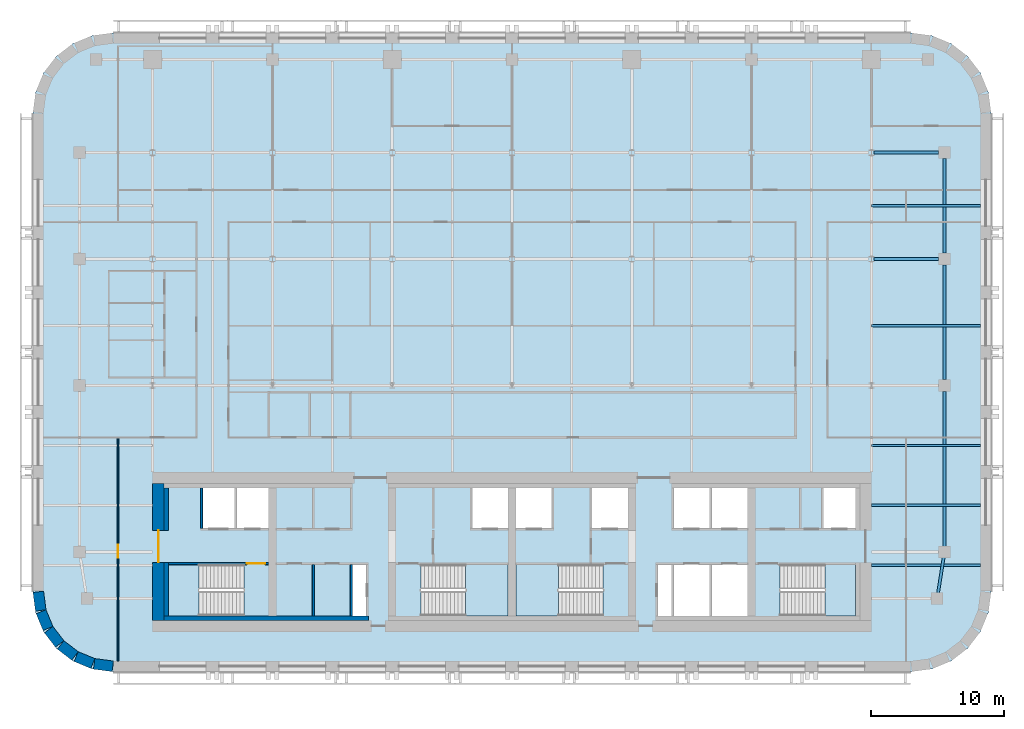
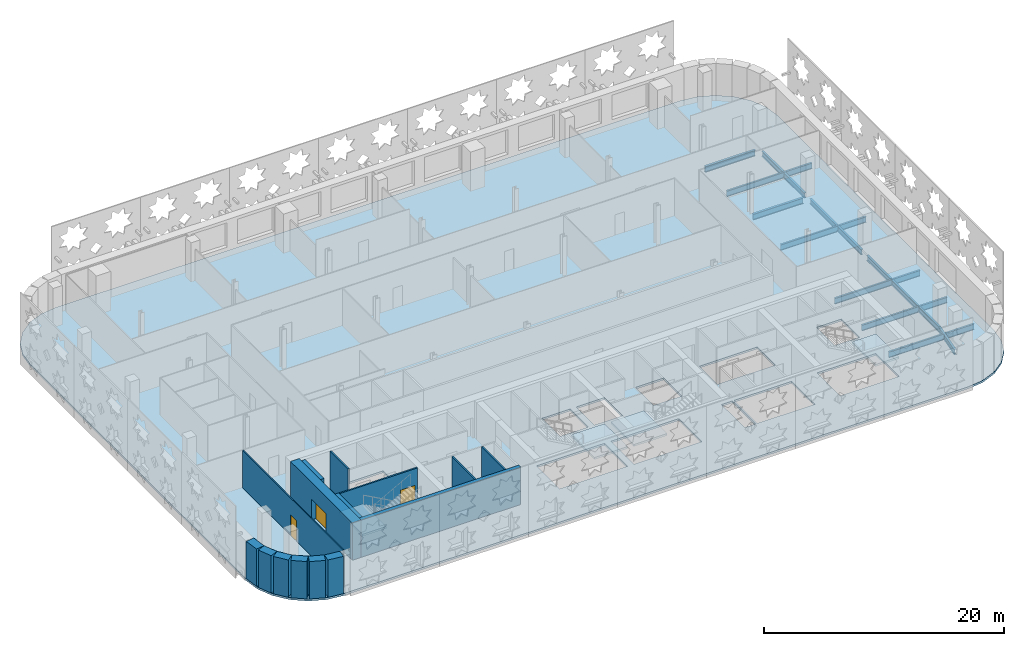
# One storey, part 2 of 12: 15 walls, 11 beams, 5 slabs, 3 doors, 3 openings, 4 elements without a shape of their own.
"""IFC4 building model written with IfcOpenShell, lengths in metres."""

from ifc_helpers import new_model, si_unit, direction, frame, frame_2d, origin, origin_2d, place, context, subcontext, project, spatial, polyline, rectangle, i_section, outline, extrude, material, layer, layer_set, material_profile, profile_set, type_object, element, fill, aggregate, save


model = new_model("IFC4")

# Units and contexts
model_context = context("Model", 3, precision=1e-05, world=origin(), true_north=direction((0.0, 1.0)))
body_context = subcontext(model_context, "Body", "Model", "MODEL_VIEW")
ifc_project = project(units=[si_unit("LENGTHUNIT", "METRE"), si_unit("AREAUNIT", "SQUARE_METRE"), si_unit("VOLUMEUNIT", "CUBIC_METRE"), si_unit("PLANEANGLEUNIT", "RADIAN"), si_unit("MASSUNIT", "GRAM", prefix="KILO")], contexts=[model_context])

# Site, building, storey
site_placement = place(None, origin())
site = spatial("IfcSite", under=ifc_project, at=site_placement, CompositionType="ELEMENT")
building_placement = place(site_placement, origin())
building = spatial("IfcBuilding", under=site, at=building_placement, Name="Zellij Exchange Tower", CompositionType="ELEMENT")
storey_placement = place(building_placement, frame((0.0, 0.0, 180.5)))
storey = spatial("IfcBuildingStorey", under=building, at=storey_placement, Name="L41", CompositionType="ELEMENT", Elevation=180.5)

# Beams
ifc_material_1 = material(Name="Structural steel ASTM A992 Gr 50", Category="steel")
ifc_material_profile_1 = material_profile(ifc_material_1, i_section(OverallWidth=0.177978515625, OverallDepth=0.599365234375, WebThickness=0.010009765625, FlangeThickness=0.012939453125, at=origin_2d()), Name="W24x55")
ifc_profile_set_1 = profile_set([ifc_material_profile_1], Name="Structural steel ASTM A992 Gr 50")
beam_type_1 = type_object("IfcBeamType", Name="STR-BEAM W24x55", PredefinedType="BEAM", material=ifc_profile_set_1)
for number, where, z_axis, x_axis, name in (
    (1, (27.0, -9.0, -0.499755859375), (1.0, 0.0, 0.0), (0.0, 1.0, 0.0), "B4"),
    (2, (27.0, -4.5, -0.499755859375), (1.0, 0.0, 0.0), (0.0, 1.0, 0.0), "B4"),
    (3, (27.0, 0.0, -0.499755859375), (1.0, 0.0, 0.0), (0.0, 1.0, 0.0), "B4"),
    (4, (27.0, 9.0, -0.499755859375), (1.0, 0.0, 0.0), (0.0, 1.0, 0.0), "B4"),
    (5, (27.0, 18.0, -0.499755859375), (1.0, 0.0, 0.0), (0.0, 1.0, 0.0), "B4"),
):
    element("IfcBeam", number, at=place(storey_placement, frame(where, z_axis=z_axis, x_axis=x_axis)), inside=storey, type_object=beam_type_1, Name=name, PredefinedType="BEAM", context=body_context, shape_type="SweptSolid", body=[
        extrude(i_section(OverallWidth=0.177978515625, OverallDepth=0.599365234375, WebThickness=0.010009765625, FlangeThickness=0.012939453125, at=origin_2d()), origin(), (0.0, 0.0, 1.0), 8.199951171875),
    ])
ifc_material_profile_2 = material_profile(ifc_material_1, i_section(OverallWidth=0.209228515625, OverallDepth=0.533447265625, WebThickness=0.01025390625, FlangeThickness=0.015625, at=origin_2d()), Name="W21x62")
ifc_profile_set_2 = profile_set([ifc_material_profile_2], Name="Structural steel ASTM A992 Gr 50")
beam_type_2 = type_object("IfcBeamType", Name="STR-EDGE GIRDER W21x62", PredefinedType="BEAM", material=ifc_profile_set_2)
beam_1_placement = place(storey_placement, frame((31.949951171875, -11.5, -0.466796875), z_axis=(0.155251283593, 0.987875011802, 0.0), x_axis=(-0.987875011802, 0.155251283593, 0.0)))
element("IfcBeam", 6, at=beam_1_placement, inside=storey, type_object=beam_type_2, Name="EB3", PredefinedType="BEAM", context=body_context, shape_type="SweptSolid", body=[
    extrude(i_section(OverallWidth=0.209228515625, OverallDepth=0.533447265625, WebThickness=0.01025390625, FlangeThickness=0.015625, at=origin_2d()), origin(), (0.0, 0.0, 1.0), 3.54296875),
])
beam_2_placement = place(storey_placement, frame((32.5, -8.0, -0.466796875), z_axis=(0.0, 1.0, 0.0), x_axis=(-1.0, 0.0, 0.0)))
element("IfcBeam", 7, at=beam_2_placement, inside=storey, type_object=beam_type_2, Name="EB3", PredefinedType="BEAM", context=body_context, shape_type="SweptSolid", body=[
    extrude(i_section(OverallWidth=0.209228515625, OverallDepth=0.533447265625, WebThickness=0.01025390625, FlangeThickness=0.015625, at=origin_2d()), origin(), (0.0, 0.0, 1.0), 12.050048828125),
])
beam_3_placement = place(storey_placement, frame((32.5, 4.949951171875, -0.466796875), z_axis=(0.0, 1.0, 0.0), x_axis=(-1.0, 0.0, 0.0)))
element("IfcBeam", 8, at=beam_3_placement, inside=storey, type_object=beam_type_2, Name="EB3", PredefinedType="BEAM", context=body_context, shape_type="SweptSolid", body=[
    extrude(i_section(OverallWidth=0.209228515625, OverallDepth=0.533447265625, WebThickness=0.01025390625, FlangeThickness=0.015625, at=origin_2d()), origin(), (0.0, 0.0, 1.0), 8.60009765625),
])
beam_4_placement = place(storey_placement, frame((32.5, 14.449951171875, -0.466796875), z_axis=(0.0, 1.0, 0.0), x_axis=(-1.0, 0.0, 0.0)))
element("IfcBeam", 9, at=beam_4_placement, inside=storey, type_object=beam_type_2, Name="EB3", PredefinedType="BEAM", context=body_context, shape_type="SweptSolid", body=[
    extrude(i_section(OverallWidth=0.209228515625, OverallDepth=0.533447265625, WebThickness=0.01025390625, FlangeThickness=0.015625, at=origin_2d()), origin(), (0.0, 0.0, 1.0), 7.10009765625),
])
ifc_material_profile_3 = material_profile(ifc_material_1, i_section(OverallWidth=0.228271484375, OverallDepth=0.607177734375, WebThickness=0.01123046875, FlangeThickness=0.017333984375, at=origin_2d()), Name="W24x76")
ifc_profile_set_3 = profile_set([ifc_material_profile_3], Name="Structural steel ASTM A992 Gr 50")
beam_type_3 = type_object("IfcBeamType", Name="STR-GIRDER W24x76", PredefinedType="BEAM", material=ifc_profile_set_3)
for number, where, z_axis, x_axis, name in (
    (10, (27.20458984375, 14.0, -0.50341796875), (1.0, 0.0, 0.0), (0.0, 1.0, 0.0), "G2"),
    (11, (27.20458984375, 22.0, -0.50341796875), (1.0, 0.0, 0.0), (0.0, 1.0, 0.0), "G2"),
):
    element("IfcBeam", number, at=place(storey_placement, frame(where, z_axis=z_axis, x_axis=x_axis)), inside=storey, type_object=beam_type_3, Name=name, PredefinedType="BEAM", context=body_context, shape_type="SweptSolid", body=[
        extrude(i_section(OverallWidth=0.228271484375, OverallDepth=0.607177734375, WebThickness=0.01123046875, FlangeThickness=0.017333984375, at=origin_2d()), origin(), (0.0, 0.0, 1.0), 4.845458984375),
    ])

# Stair, slab
ifc_material_2 = material(Name="Concrete C40/50", Category="concrete")
stair_type = type_object("IfcStairType", Name="CORE-ST exit stair 1850 wide", PredefinedType="HALF_TURN_STAIR", material=ifc_material_2)
stair_1_placement = place(storey_placement, origin())
stair_1 = element("IfcStair", 12, at=stair_1_placement, inside=storey, type_object=stair_type, Name="L41 exit stair ST1", PredefinedType="HALF_TURN_STAIR")
ifc_layer_1 = layer(ifc_material_2, 0.199951171875)
ifc_layer_set_1 = layer_set([ifc_layer_1], Name="Concrete C40/50")
slab_type_1 = type_object("IfcSlabType", Name="CORE-SL stair landing 200", PredefinedType="LANDING", material=ifc_layer_set_1)
slab_1_placement = place(storey_placement, frame((0.0, 0.0, 1.800048828125)))
slab_1 = element("IfcSlab", 13, at=slab_1_placement, type_object=slab_type_1, Name="ST1 landing 1", PredefinedType="LANDING", context=body_context, shape_type="SweptSolid", body=[
    extrude(outline(polyline([(-23.510009765625, -8.949951171875), (-25.800048828125, -8.949951171875), (-25.800048828125, -12.800048828125), (-23.510009765625, -12.800048828125), (-23.510009765625, -8.949951171875)])), origin(), (0.0, 0.0, 1.0), 0.199951171875),
])
aggregate(stair_1, [slab_1])

stair_2_placement = place(storey_placement, origin())
stair_2 = element("IfcStair", 14, at=stair_2_placement, inside=storey, type_object=stair_type, Name="L41 exit stair ST2", PredefinedType="HALF_TURN_STAIR")
slab_2_placement = place(storey_placement, frame((0.0, 0.0, 1.800048828125)))
slab_2 = element("IfcSlab", 15, at=slab_2_placement, type_object=slab_type_1, Name="ST2 landing 1", PredefinedType="LANDING", context=body_context, shape_type="SweptSolid", body=[
    extrude(outline(polyline([(-3.489990234375, -12.800048828125), (-0.300048828125, -12.800048828125), (-0.300048828125, -8.949951171875), (-3.489990234375, -8.949951171875), (-3.489990234375, -12.800048828125)])), origin(), (0.0, 0.0, 1.0), 0.199951171875),
])
aggregate(stair_2, [slab_2])

stair_3_placement = place(storey_placement, origin())
stair_3 = element("IfcStair", 16, at=stair_3_placement, inside=storey, type_object=stair_type, Name="L41 exit stair ST3", PredefinedType="HALF_TURN_STAIR")
slab_3_placement = place(storey_placement, frame((0.0, 0.0, 1.800048828125)))
slab_3 = element("IfcSlab", 17, at=slab_3_placement, type_object=slab_type_1, Name="ST3 landing 1", PredefinedType="LANDING", context=body_context, shape_type="SweptSolid", body=[
    extrude(outline(polyline([(3.489990234375, -8.949951171875), (0.300048828125, -8.949951171875), (0.300048828125, -12.800048828125), (3.489990234375, -12.800048828125), (3.489990234375, -8.949951171875)])), origin(), (0.0, 0.0, 1.0), 0.199951171875),
])
aggregate(stair_3, [slab_3])

stair_4_placement = place(storey_placement, origin())
stair_4 = element("IfcStair", 18, at=stair_4_placement, inside=storey, type_object=stair_type, Name="L41 exit stair ST4", PredefinedType="HALF_TURN_STAIR")
slab_4_placement = place(storey_placement, frame((0.0, 0.0, 1.800048828125)))
slab_4 = element("IfcSlab", 19, at=slab_4_placement, type_object=slab_type_1, Name="ST4 landing 1", PredefinedType="LANDING", context=body_context, shape_type="SweptSolid", body=[
    extrude(outline(polyline([(23.510009765625, -12.800048828125), (25.800048828125, -12.800048828125), (25.800048828125, -8.949951171875), (23.510009765625, -8.949951171875), (23.510009765625, -12.800048828125)])), origin(), (0.0, 0.0, 1.0), 0.199951171875),
])
aggregate(stair_4, [slab_4])

# Slab
ifc_layer_2 = layer(ifc_material_2, 0.199951171875)
ifc_layer_set_2 = layer_set([ifc_layer_2], Name="Concrete C40/50")
slab_type_2 = type_object("IfcSlabType", Name="STR-FLOOR SLAB 200 C40/50", PredefinedType="FLOOR", material=ifc_layer_set_2)
slab_5_placement = place(storey_placement, frame((0.0, 0.0, -0.2001953125)))
element("IfcSlab", 20, at=slab_5_placement, inside=storey, type_object=slab_type_2, Name="Floor L41", PredefinedType="FLOOR", context=body_context, shape_type="SweptSolid", body=[
    extrude(outline(polyline([(-30.0, -17.0), (-31.552978515625, -16.795654296875), (-33.0, -16.1962890625), (-34.24267578125, -15.24267578125), (-35.1962890625, -14.0), (-35.795654296875, -12.552978515625), (-36.0, -11.0), (-36.0, 25.0), (-35.795654296875, 26.552978515625), (-35.1962890625, 28.0), (-34.24267578125, 29.24267578125), (-33.0, 30.1962890625), (-31.552978515625, 30.795654296875), (-30.0, 31.0), (30.0, 31.0), (31.552978515625, 30.795654296875), (33.0, 30.1962890625), (34.24267578125, 29.24267578125), (35.1962890625, 28.0), (35.795654296875, 26.552978515625), (36.0, 25.0), (36.0, -11.0), (35.795654296875, -12.552978515625), (35.1962890625, -14.0), (34.24267578125, -15.24267578125), (33.0, -16.1962890625), (31.552978515625, -16.795654296875), (30.0, -17.0), (-30.0, -17.0)]), holes=[polyline([(-25.800048828125, -8.949951171875), (-25.800048828125, -12.800048828125), (-20.153076171875, -12.800048828125), (-20.153076171875, -8.949951171875), (-25.800048828125, -8.949951171875)]), polyline([(-10.949951171875, -8.949951171875), (-12.0, -8.949951171875), (-12.0, -12.800048828125), (-10.949951171875, -12.800048828125), (-10.949951171875, -8.949951171875)]), polyline([(-0.300048828125, -8.949951171875), (-6.846923828125, -8.949951171875), (-6.846923828125, -12.800048828125), (-0.300048828125, -12.800048828125), (-0.300048828125, -8.949951171875)]), polyline([(0.300048828125, -8.949951171875), (0.300048828125, -12.800048828125), (6.846923828125, -12.800048828125), (6.846923828125, -8.949951171875), (0.300048828125, -8.949951171875)]), polyline([(-18.300048828125, -3.199951171875), (-23.25, -3.199951171875), (-23.25, -6.22509765625), (-18.300048828125, -6.22509765625), (-18.300048828125, -3.199951171875)]), polyline([(-0.300048828125, -3.199951171875), (-3.0, -3.199951171875), (-3.0, -6.22509765625), (-0.300048828125, -6.22509765625), (-0.300048828125, -3.199951171875)]), polyline([(0.300048828125, -3.199951171875), (0.300048828125, -6.22509765625), (3.0, -6.22509765625), (3.0, -3.199951171875), (0.300048828125, -3.199951171875)]), polyline([(12.0, -8.949951171875), (10.949951171875, -8.949951171875), (10.949951171875, -12.800048828125), (12.0, -12.800048828125), (12.0, -8.949951171875)]), polyline([(17.699951171875, -8.949951171875), (12.14990234375, -8.949951171875), (12.14990234375, -12.800048828125), (17.699951171875, -12.800048828125), (17.699951171875, -8.949951171875)]), polyline([(25.800048828125, -8.949951171875), (20.153076171875, -8.949951171875), (20.153076171875, -12.800048828125), (25.800048828125, -12.800048828125), (25.800048828125, -8.949951171875)]), polyline([(8.699951171875, -3.199951171875), (6.0, -3.199951171875), (6.0, -6.22509765625), (8.699951171875, -6.22509765625), (8.699951171875, -3.199951171875)]), polyline([(17.699951171875, -3.199951171875), (12.14990234375, -3.199951171875), (12.14990234375, -6.22509765625), (17.699951171875, -6.22509765625), (17.699951171875, -3.199951171875)]), polyline([(25.800048828125, -3.199951171875), (23.39990234375, -3.199951171875), (23.39990234375, -6.22509765625), (25.800048828125, -6.22509765625), (25.800048828125, -3.199951171875)])]), origin(), (0.0, 0.0, 1.0), 0.2001953125),
])

# Walls
ifc_material_3 = material(Name="Concrete C30/37", Category="concrete")
ifc_layer_3 = layer(ifc_material_3, 0.35009765625)
ifc_layer_set_3 = layer_set([ifc_layer_3], Name="Concrete C30/37")
wall_type_1 = type_object("IfcWallType", Name="CORE-LW 350 C30/37", PredefinedType="SHEAR", material=ifc_layer_set_3)
wall_1_placement = place(storey_placement, frame((-26.14990234375, -12.97509765625, 0.0), z_axis=(0.0, 0.0, 1.0), x_axis=(1.0, 0.0, 0.0)))
element("IfcWall", 21, at=wall_1_placement, inside=storey, type_object=wall_type_1, Name="Core wall lining rear.0 L41", PredefinedType="SHEAR", context=body_context, shape_type="SweptSolid", body=[
    extrude(rectangle(XDim=15.349853515625, YDim=0.35009765625, at=frame_2d((7.6748046875, 0.0))), origin(), (0.0, 0.0, 1.0), 3.800048828125),
])
wall_2_placement = place(storey_placement, frame((-25.97509765625, -12.800048828125, 0.0), z_axis=(0.0, 0.0, 1.0), x_axis=(0.0, 1.0, 0.0)))
element("IfcWall", 22, at=wall_2_placement, inside=storey, type_object=wall_type_1, Name="Core wall lining end w.0 L41", PredefinedType="SHEAR", context=body_context, shape_type="SweptSolid", body=[
    extrude(rectangle(XDim=4.0, YDim=0.35009765625, at=frame_2d((2.0, 0.0))), origin(), (0.0, 0.0, 1.0), 3.800048828125),
])
wall_3_placement = place(storey_placement, frame((-25.97509765625, -6.375, 0.0), z_axis=(0.0, 0.0, 1.0), x_axis=(0.0, 1.0, 0.0)))
element("IfcWall", 23, at=wall_3_placement, inside=storey, type_object=wall_type_1, Name="Core wall lining end w.1 L41", PredefinedType="SHEAR", context=body_context, shape_type="SweptSolid", body=[
    extrude(rectangle(XDim=3.175048828125, YDim=0.35009765625, at=frame_2d((1.58740234375, 0.0))), origin(), (0.0, 0.0, 1.0), 3.800048828125),
])
ifc_material_4 = material(Name="Gypsum board partition")
ifc_layer_4 = layer(ifc_material_4, 0.14990234375)
ifc_layer_set_4 = layer_set([ifc_layer_4], Name="Gypsum board partition")
wall_type_2 = type_object("IfcWallType", Name="CORE-PW 150 Lift lobby wall", PredefinedType="PARTITIONING", material=ifc_layer_set_4)
for number, where, z_axis, x_axis, name in (
    (24, (-12.074951171875, -12.800048828125, 0.0), (0.0, 0.0, 1.0), (0.0, 1.0, 0.0), "Lift lobby wall L41"),
    (25, (-14.925048828125, -12.800048828125, 0.0), (0.0, 0.0, 1.0), (0.0, 1.0, 0.0), "Lift lobby wall L41"),
):
    element("IfcWall", number, at=place(storey_placement, frame(where, z_axis=z_axis, x_axis=x_axis)), inside=storey, type_object=wall_type_2, Name=name, PredefinedType="PARTITIONING", context=body_context, shape_type="SweptSolid", body=[
        extrude(rectangle(XDim=3.85009765625, YDim=0.14990234375, at=frame_2d((1.925048828125, 0.0))), origin(), (0.0, 0.0, 1.0), 3.800048828125),
    ])
ifc_material_5 = material(Name="Gypsum shaft wall system")
ifc_layer_5 = layer(ifc_material_5, 0.14990234375)
ifc_layer_set_5 = layer_set([ifc_layer_5], Name="Gypsum shaft wall system")
wall_type_3 = type_object("IfcWallType", Name="CORE-PW 150 Lift shaft wall", PredefinedType="PARTITIONING", material=ifc_layer_set_5)
wall_4_placement = place(storey_placement, frame((-23.324951171875, -6.22509765625, 0.0), z_axis=(0.0, 0.0, 1.0), x_axis=(0.0, 1.0, 0.0)))
element("IfcWall", 26, at=wall_4_placement, inside=storey, type_object=wall_type_3, Name="Lift shaft wall L41", PredefinedType="PARTITIONING", context=body_context, shape_type="SweptSolid", body=[
    extrude(rectangle(XDim=3.025146484375, YDim=0.14990234375, at=frame_2d((1.5126953125, 0.0))), origin(), (0.0, 0.0, 1.0), 3.800048828125),
])

# Wall, opening, door
ifc_material_6 = material(Name="Concrete C60/75", Category="concrete")
ifc_layer_6 = layer(ifc_material_6, 0.85009765625)
ifc_layer_set_6 = layer_set([ifc_layer_6], Name="Concrete C60/75")
wall_type_4 = type_object("IfcWallType", Name="CORE-SW 850 C60/75", PredefinedType="SHEAR", material=ifc_layer_set_6)
wall_5_placement = place(storey_placement, frame((-26.574951171875, -13.14990234375, 0.0), z_axis=(0.0, 0.0, 1.0), x_axis=(0.0, 1.0, 0.0)))
wall_5 = element("IfcWall", 27, at=wall_5_placement, inside=storey, type_object=wall_type_4, Name="Core shear wall end w L41", PredefinedType="SHEAR", context=body_context, shape_type="SweptSolid", body=[
    extrude(rectangle(XDim=10.2998046875, YDim=0.85009765625, at=frame_2d((5.14990234375, 0.0))), origin(), (0.0, 0.0, 1.0), 3.800048828125),
])
opening_1_placement = place(wall_5_placement, frame((4.362060546875, 0.0, 0.0)))
opening_1 = element("IfcOpeningElement", 28, at=opening_1_placement, cuts=wall_5, Name="Opening CA-22.01", PredefinedType="OPENING", context=body_context, shape_type="SweptSolid", body=[
    extrude(rectangle(XDim=2.39990234375, YDim=2.10009765625, at=frame_2d((1.199951171875, 1.050048828125))), frame((0.0, 0.43701171875, 0.0), z_axis=(0.0, -1.0, 0.0), x_axis=(1.0, 0.0, 0.0)), (0.0, 0.0, 1.0), 0.8740234375),
])
ifc_material_7 = material(Name="Hollow metal fire door")
door_type_1 = type_object("IfcDoorType", Name="CORE-D CE Core entrance door 2400x2100 20 MIN", OperationType="NOTDEFINED", PredefinedType="DOOR", material=ifc_material_7)
door_1_placement = place(opening_1_placement, origin())
door_1 = element("IfcDoor", 29, at=door_1_placement, inside=storey, type_object=door_type_1, Name="Core entrance door CA-22.01", OperationType="DOUBLE_DOOR_SINGLE_SWING", OverallHeight=2.10009765625, OverallWidth=2.39990234375, PredefinedType="DOOR", context=body_context, shape_type="SweptSolid", body=[
    extrude(rectangle(XDim=2.39990234375, YDim=2.10009765625, at=frame_2d((1.199951171875, 1.050048828125))), frame((0.0, 0.02490234375, 0.0), z_axis=(0.0, -1.0, 0.0), x_axis=(1.0, 0.0, 0.0)), (0.0, 0.0, 1.0), 0.050048828125),
])
fill(opening_1, door_1)

ifc_layer_7 = layer(ifc_material_6, 0.14990234375)
ifc_layer_set_7 = layer_set([ifc_layer_7], Name="Concrete C60/75")
wall_type_5 = type_object("IfcWallType", Name="CORE-SWS 150 C60/75", PredefinedType="SHEAR", material=ifc_layer_set_7)
wall_6_placement = place(storey_placement, frame((-25.800048828125, -8.875, 0.0), z_axis=(0.0, 0.0, 1.0), x_axis=(1.0, 0.0, 0.0)))
wall_6 = element("IfcWall", 30, at=wall_6_placement, inside=storey, type_object=wall_type_5, Name="Stair enclosure wall L41", PredefinedType="SHEAR", context=body_context, shape_type="SweptSolid", body=[
    extrude(rectangle(XDim=7.5, YDim=0.14990234375, at=frame_2d((3.75, 0.0))), origin(), (0.0, 0.0, 1.0), 3.800048828125),
])
opening_2_placement = place(wall_6_placement, frame((5.875, 0.0, 0.0)))
opening_2 = element("IfcOpeningElement", 31, at=opening_2_placement, cuts=wall_6, Name="Opening CA-22.04", PredefinedType="OPENING", context=body_context, shape_type="SweptSolid", body=[
    extrude(rectangle(XDim=1.39990234375, YDim=2.10009765625, at=frame_2d((0.699951171875, 1.050048828125))), frame((0.0, 0.0869140625, 0.0), z_axis=(0.0, -1.0, 0.0), x_axis=(1.0, 0.0, 0.0)), (0.0, 0.0, 1.0), 0.173828125),
])
door_type_2 = type_object("IfcDoorType", Name="CORE-D SD Stair door 1400x2100 1.5 HR", OperationType="NOTDEFINED", PredefinedType="DOOR", material=ifc_material_7)
door_2_placement = place(opening_2_placement, origin())
door_2 = element("IfcDoor", 32, at=door_2_placement, inside=storey, type_object=door_type_2, Name="Stair door CA-22.04", OperationType="DOUBLE_DOOR_SINGLE_SWING", OverallHeight=2.10009765625, OverallWidth=1.39990234375, PredefinedType="DOOR", context=body_context, shape_type="SweptSolid", body=[
    extrude(rectangle(XDim=1.39990234375, YDim=2.10009765625, at=frame_2d((0.699951171875, 1.050048828125))), frame((0.0, 0.02490234375, 0.0), z_axis=(0.0, -1.0, 0.0), x_axis=(1.0, 0.0, 0.0)), (0.0, 0.0, 1.0), 0.050048828125),
])
fill(opening_2, door_2)

# Walls
ifc_material_8 = material(Name="Precast concrete C40/50", Category="concrete")
ifc_layer_8 = layer(ifc_material_8, 0.800048828125)
ifc_layer_set_8 = layer_set([ifc_layer_8], Name="Precast concrete C40/50")
wall_type_6 = type_object("IfcWallType", Name="ENV-EW1 Precast stone-piered wall 800", PredefinedType="SOLIDWALL", material=ifc_layer_set_8)
wall_7_placement = place(storey_placement, frame((-35.5966796875, -10.999755859375, 0.0), z_axis=(0.0, 0.0, 1.0), x_axis=(0.130517283865, -0.99144603414, 0.0)))
element("IfcWall", 33, at=wall_7_placement, inside=storey, type_object=wall_type_6, Name="fac.L41.22", PredefinedType="SOLIDWALL", context=body_context, shape_type="SweptSolid", body=[
    extrude(rectangle(XDim=1.408447265625, YDim=0.800048828125, at=frame_2d((0.7041015625, 0.0))), origin(), (0.0, 0.0, 1.0), 3.800048828125),
])
wall_8_placement = place(storey_placement, frame((-35.3857421875, -12.497314453125, 0.0), z_axis=(0.0, 0.0, 1.0), x_axis=(0.38276009378, -0.923847774587, 0.0)))
element("IfcWall", 34, at=wall_8_placement, inside=storey, type_object=wall_type_6, Name="fac.L41.23", PredefinedType="SOLIDWALL", context=body_context, shape_type="SweptSolid", body=[
    extrude(rectangle(XDim=1.35546875, YDim=0.800048828125, at=frame_2d((0.677734375, 0.0))), origin(), (0.0, 0.0, 1.0), 3.800048828125),
])
for number, where, z_axis, x_axis, name in (
    (35, (-34.814697265625, -13.840087890625, 0.0), (0.0, 0.0, 1.0), (0.608866226366, -0.793272915452, 0.0), "fac.L41.24"),
    (36, (-33.91552734375, -14.9892578125, 0.0), (0.0, 0.0, 1.0), (0.793272915452, -0.608866226366, 0.0), "fac.L41.25"),
):
    element("IfcWall", number, at=place(storey_placement, frame(where, z_axis=z_axis, x_axis=x_axis)), inside=storey, type_object=wall_type_6, Name=name, PredefinedType="SOLIDWALL", context=body_context, shape_type="SweptSolid", body=[
        extrude(rectangle(XDim=1.355712890625, YDim=0.800048828125, at=frame_2d((0.677734375, 0.0))), origin(), (0.0, 0.0, 1.0), 3.800048828125),
    ])
wall_9_placement = place(storey_placement, frame((-32.74951171875, -15.866943359375, 0.0), z_axis=(0.0, 0.0, 1.0), x_axis=(0.923847774587, -0.38276009378, 0.0)))
element("IfcWall", 37, at=wall_9_placement, inside=storey, type_object=wall_type_6, Name="fac.L41.26", PredefinedType="SOLIDWALL", context=body_context, shape_type="SweptSolid", body=[
    extrude(rectangle(XDim=1.35546875, YDim=0.800048828125, at=frame_2d((0.677734375, 0.0))), origin(), (0.0, 0.0, 1.0), 3.800048828125),
])
wall_10_placement = place(storey_placement, frame((-31.396240234375, -16.412841796875, 0.0), z_axis=(0.0, 0.0, 1.0), x_axis=(0.99144603414, -0.130517283865, 0.0)))
element("IfcWall", 38, at=wall_10_placement, inside=storey, type_object=wall_type_6, Name="fac.L41.27", PredefinedType="SOLIDWALL", context=body_context, shape_type="SweptSolid", body=[
    extrude(rectangle(XDim=1.408447265625, YDim=0.800048828125, at=frame_2d((0.7041015625, 0.0))), origin(), (0.0, 0.0, 1.0), 3.800048828125),
])

# Wall, opening, door
ifc_material_9 = material(Name="Gypsum board partition on steel studs", Category="steel")
ifc_layer_9 = layer(ifc_material_9, 0.10009765625)
ifc_layer_set_9 = layer_set([ifc_layer_9], Name="Gypsum board partition on steel studs")
wall_type_7 = type_object("IfcWallType", Name="FIT-PARTITION-100", PredefinedType="PARTITIONING", material=ifc_layer_set_9)
wall_11_placement = place(storey_placement, frame((-29.60009765625, -16.199951171875, 0.0), z_axis=(0.0, 0.0, 1.0), x_axis=(0.0, 1.0, 0.0)))
wall_11 = element("IfcWall", 39, at=wall_11_placement, inside=storey, type_object=wall_type_7, Name="FIT-PARTITION-100 001", PredefinedType="PARTITIONING", context=body_context, shape_type="SweptSolid", body=[
    extrude(rectangle(XDim=16.75, YDim=0.10009765625, at=frame_2d((8.375, 0.0))), origin(), (0.0, 0.0, 1.0), 3.800048828125),
])
opening_3_placement = place(wall_11_placement, frame((7.75, 0.0, 0.0)))
opening_3 = element("IfcOpeningElement", 40, at=opening_3_placement, cuts=wall_11, Name="Opening O3B.01", PredefinedType="OPENING", context=body_context, shape_type="SweptSolid", body=[
    extrude(rectangle(XDim=1.0, YDim=2.10009765625, at=frame_2d((0.5, 1.050048828125))), frame((0.0, 0.06201171875, 0.0), z_axis=(0.0, -1.0, 0.0), x_axis=(1.0, 0.0, 0.0)), (0.0, 0.0, 1.0), 0.1240234375),
])
ifc_material_10 = material(Name="Timber door set", Category="wood")
door_type_3 = type_object("IfcDoorType", Name="FIT-D2-WIDE-1000X2100", OperationType="SINGLE_SWING_LEFT", PredefinedType="DOOR", material=ifc_material_10)
door_3_placement = place(opening_3_placement, origin())
door_3 = element("IfcDoor", 41, at=door_3_placement, inside=storey, type_object=door_type_3, Name="Door O3B.01", OperationType="SINGLE_SWING_RIGHT", OverallHeight=2.10009765625, OverallWidth=1.0, PredefinedType="DOOR", context=body_context, shape_type="SweptSolid", body=[
    extrude(rectangle(XDim=1.0, YDim=2.10009765625, at=frame_2d((0.5, 1.050048828125))), frame((0.0, 0.02490234375, 0.0), z_axis=(0.0, -1.0, 0.0), x_axis=(1.0, 0.0, 0.0)), (0.0, 0.0, 1.0), 0.050048828125),
])
fill(opening_3, door_3)

save(model, "model.ifc")
